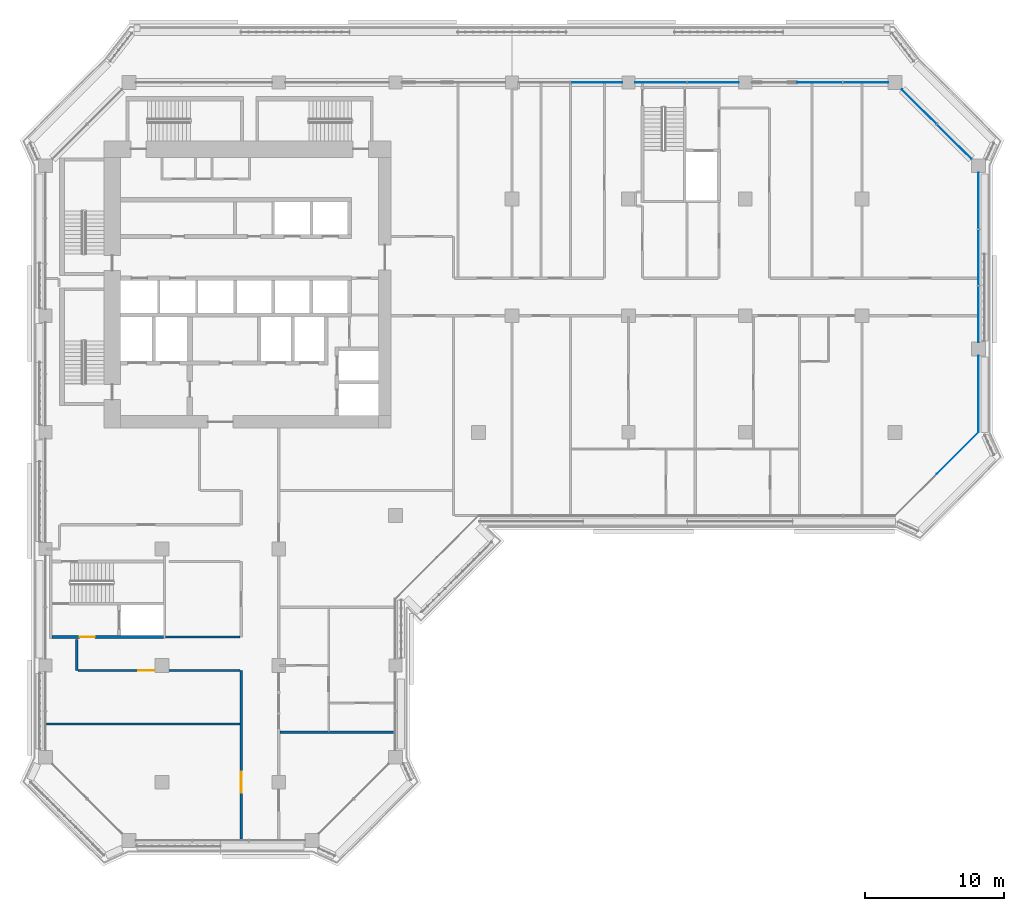
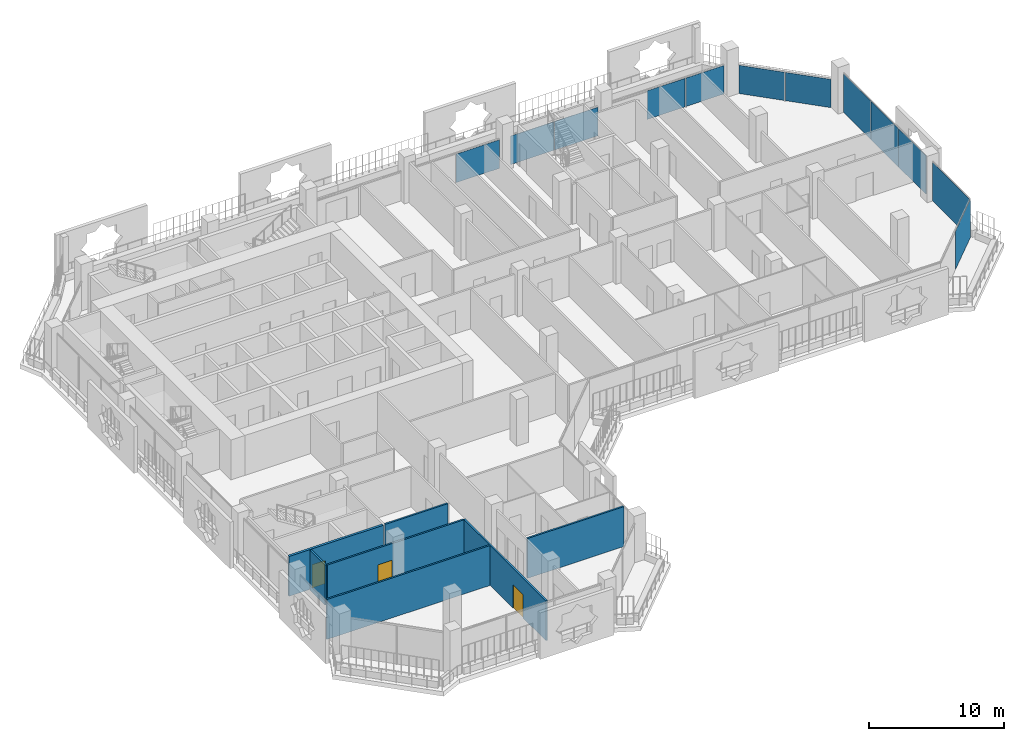
# One storey, part 9 of 22: 12 plates, 7 walls, 3 doors, 3 openings, 4 elements without a shape of their own.
"""IFC4 building model written with IfcOpenShell, lengths in metres."""

from ifc_helpers import new_model, si_unit, direction, frame, frame_2d, origin, origin_2d, place, context, subcontext, project, spatial, rectangle, extrude, material, layer, layer_set, type_object, element, fill, aggregate, save


model = new_model("IFC4")

# Units and contexts
model_context = context("Model", 3, precision=1e-05, world=origin(), true_north=direction((0.0, 1.0)))
body_context = subcontext(model_context, "Body", "Model", "MODEL_VIEW")
ifc_project = project(units=[si_unit("LENGTHUNIT", "METRE"), si_unit("AREAUNIT", "SQUARE_METRE"), si_unit("VOLUMEUNIT", "CUBIC_METRE"), si_unit("PLANEANGLEUNIT", "RADIAN"), si_unit("MASSUNIT", "GRAM", prefix="KILO")], contexts=[model_context])

# Site, building, storey
site_placement = place(None, origin())
site = spatial("IfcSite", under=ifc_project, at=site_placement, CompositionType="ELEMENT")
building_placement = place(site_placement, origin())
building = spatial("IfcBuilding", under=site, at=building_placement, Name="Kawkab Arch Medical Tower", CompositionType="ELEMENT")
storey_placement = place(building_placement, frame((0.0, 0.0, 204.60009765625)))
storey = spatial("IfcBuildingStorey", under=building, at=storey_placement, Name="L47", CompositionType="ELEMENT", Elevation=204.60009765625)

# Curtain wall, plates
ifc_material_1 = material(Name="Bronze anodised aluminium curtain wall frame", Category="aluminium")
ifc_layer_1 = layer(ifc_material_1, 0.159912109375)
ifc_layer_set_1 = layer_set([ifc_layer_1], Name="Bronze anodised aluminium curtain wall frame")
curtain_wall_type_1 = type_object("IfcCurtainWallType", Name="CW1 ward curtain wall", PredefinedType="NOTDEFINED", material=ifc_layer_set_1)
placement = place(storey_placement, origin())
curtain_wall_1 = element("IfcCurtainWall", 1, at=placement, inside=storey, type_object=curtain_wall_type_1, Name="CW1 Ward curtain wall R09", PredefinedType="NOTDEFINED")
ifc_material_2 = material(Name="Tinted insulating glass, bronze low-e coating", Category="glass")
ifc_layer_2 = layer(ifc_material_2, 0.031982421875)
ifc_layer_set_2 = layer_set([ifc_layer_2], Name="Tinted insulating glass, bronze low-e coating")
plate_type_1 = type_object("IfcPlateType", Name="CW1 glazing unit 32", PredefinedType="CURTAIN_PANEL", material=ifc_layer_set_2)
plate_1_placement = place(storey_placement, frame((67.199951171875, -22.449951171875, 0.0), z_axis=(0.0, 0.0, 1.0), x_axis=(0.0, 1.0, 0.0)))
plate_1 = element("IfcPlate", 2, at=plate_1_placement, type_object=plate_type_1, Name="CW1 glazing unit 1.1", PredefinedType="CURTAIN_PANEL", context=body_context, shape_type="SweptSolid", body=[
    extrude(rectangle(XDim=5.5, YDim=0.031982421875, at=origin_2d()), origin(), (0.0, 0.0, 1.0), 3.47998046875),
])
plate_2_placement = place(storey_placement, frame((67.199951171875, -16.681640625, 0.0), z_axis=(0.0, 0.0, 1.0), x_axis=(0.0, 1.0, 0.0)))
plate_2 = element("IfcPlate", 3, at=plate_2_placement, type_object=plate_type_1, Name="CW1 glazing unit 2.1", PredefinedType="CURTAIN_PANEL", context=body_context, shape_type="SweptSolid", body=[
    extrude(rectangle(XDim=4.03662109375, YDim=0.031982421875, at=origin_2d()), origin(), (0.0, 0.0, 1.0), 3.47998046875),
])
plate_3_placement = place(storey_placement, frame((67.199951171875, -12.60009765625, 0.0), z_axis=(0.0, 0.0, 1.0), x_axis=(0.0, 1.0, 0.0)))
plate_3 = element("IfcPlate", 4, at=plate_3_placement, type_object=plate_type_1, Name="CW1 glazing unit 2.2", PredefinedType="CURTAIN_PANEL", context=body_context, shape_type="SweptSolid", body=[
    extrude(rectangle(XDim=4.006591796875, YDim=0.031982421875, at=origin_2d()), origin(), (0.0, 0.0, 1.0), 3.47998046875),
])
plate_4_placement = place(storey_placement, frame((67.199951171875, -8.518310546875, 0.0), z_axis=(0.0, 0.0, 1.0), x_axis=(0.0, 1.0, 0.0)))
plate_4 = element("IfcPlate", 5, at=plate_4_placement, type_object=plate_type_1, Name="CW1 glazing unit 2.3", PredefinedType="CURTAIN_PANEL", context=body_context, shape_type="SweptSolid", body=[
    extrude(rectangle(XDim=4.03662109375, YDim=0.031982421875, at=origin_2d()), origin(), (0.0, 0.0, 1.0), 3.47998046875),
])
aggregate(curtain_wall_1, [plate_1, plate_2, plate_3, plate_4])

curtain_wall_2 = element("IfcCurtainWall", 6, at=placement, inside=storey, type_object=curtain_wall_type_1, Name="CW1 Ward curtain wall R11", PredefinedType="NOTDEFINED")
plate_5_placement = place(storey_placement, frame((59.077392578125, 0.0, -0.000244140625), z_axis=(0.0, 0.0, 1.0), x_axis=(-1.0, 0.0, 0.0)))
plate_5 = element("IfcPlate", 7, at=plate_5_placement, type_object=plate_type_1, Name="CW1 glazing unit 1.1", PredefinedType="CURTAIN_PANEL", context=body_context, shape_type="SweptSolid", body=[
    extrude(rectangle(XDim=3.2451171875, YDim=0.031982421875, at=origin_2d()), origin(), (0.0, 0.0, 1.0), 2.580078125),
])
plate_6_placement = place(storey_placement, frame((55.7724609375, 0.0, -0.000244140625), z_axis=(0.0, 0.0, 1.0), x_axis=(-1.0, 0.0, 0.0)))
plate_6 = element("IfcPlate", 8, at=plate_6_placement, type_object=plate_type_1, Name="CW1 glazing unit 1.2", PredefinedType="CURTAIN_PANEL", context=body_context, shape_type="SweptSolid", body=[
    extrude(rectangle(XDim=3.2451171875, YDim=0.031982421875, at=origin_2d()), origin(), (0.0, 0.0, 1.0), 2.580078125),
])
plate_7_placement = place(storey_placement, frame((48.077392578125, 0.0, -0.000244140625), z_axis=(0.0, 0.0, 1.0), x_axis=(-1.0, 0.0, 0.0)))
plate_7 = element("IfcPlate", 9, at=plate_7_placement, type_object=plate_type_1, Name="CW1 glazing unit 2.1", PredefinedType="CURTAIN_PANEL", context=body_context, shape_type="SweptSolid", body=[
    extrude(rectangle(XDim=3.695068359375, YDim=0.031982421875, at=origin_2d()), origin(), (0.0, 0.0, 1.0), 2.580078125),
])
plate_8_placement = place(storey_placement, frame((44.322509765625, 0.0, -0.000244140625), z_axis=(0.0, 0.0, 1.0), x_axis=(-1.0, 0.0, 0.0)))
plate_8 = element("IfcPlate", 10, at=plate_8_placement, type_object=plate_type_1, Name="CW1 glazing unit 2.2", PredefinedType="CURTAIN_PANEL", context=body_context, shape_type="SweptSolid", body=[
    extrude(rectangle(XDim=3.695068359375, YDim=0.031982421875, at=origin_2d()), origin(), (0.0, 0.0, 1.0), 2.580078125),
])
plate_9_placement = place(storey_placement, frame((39.677490234375, 0.0, -0.000244140625), z_axis=(0.0, 0.0, 1.0), x_axis=(-1.0, 0.0, 0.0)))
plate_9 = element("IfcPlate", 11, at=plate_9_placement, type_object=plate_type_1, Name="CW1 glazing unit 3.1", PredefinedType="CURTAIN_PANEL", context=body_context, shape_type="SweptSolid", body=[
    extrude(rectangle(XDim=3.695068359375, YDim=0.031982421875, at=origin_2d()), origin(), (0.0, 0.0, 1.0), 2.580078125),
])
aggregate(curtain_wall_2, [plate_5, plate_6, plate_7, plate_8, plate_9])

# Curtain wall, plate
ifc_material_3 = material(Name="Bronze anodised aluminium curtain wall frame", Category="aluminium")
ifc_layer_3 = layer(ifc_material_3, 0.159912109375)
ifc_layer_set_3 = layer_set([ifc_layer_3], Name="Bronze anodised aluminium curtain wall frame")
curtain_wall_type_2 = type_object("IfcCurtainWallType", Name="CW2 chamfer curtain wall", PredefinedType="NOTDEFINED", material=ifc_layer_set_3)
curtain_wall_3 = element("IfcCurtainWall", 12, at=placement, inside=storey, type_object=curtain_wall_type_2, Name="CW2 Chamfer curtain wall R08", PredefinedType="NOTDEFINED")
ifc_material_4 = material(Name="Tinted insulating glass, bronze low-e coating", Category="glass")
ifc_layer_4 = layer(ifc_material_4, 0.031982421875)
ifc_layer_set_4 = layer_set([ifc_layer_4], Name="Tinted insulating glass, bronze low-e coating")
plate_type_2 = type_object("IfcPlateType", Name="CW2 glazing unit 32", PredefinedType="CURTAIN_PANEL", material=ifc_layer_set_4)
plate_10_placement = place(storey_placement, frame((65.699951171875, -26.699951171875, 0.0), z_axis=(0.0, 0.0, 1.0), x_axis=(0.707106781187, 0.707106781187, 0.0)))
plate_10 = element("IfcPlate", 13, at=plate_10_placement, type_object=plate_type_2, Name="CW2 glazing unit 2.1", PredefinedType="CURTAIN_PANEL", context=body_context, shape_type="SweptSolid", body=[
    extrude(rectangle(XDim=4.24267578125, YDim=0.031982421875, at=origin_2d()), origin(), (0.0, 0.0, 1.0), 3.4599609375),
])
aggregate(curtain_wall_3, [plate_10])

# Curtain wall, plates
curtain_wall_4 = element("IfcCurtainWall", 14, at=placement, inside=storey, type_object=curtain_wall_type_2, Name="CW2 Chamfer curtain wall R10", PredefinedType="NOTDEFINED")
plate_11_placement = place(storey_placement, frame((65.460693359375, -4.260498046875, -0.000244140625), z_axis=(0.0, 0.0, 1.0), x_axis=(-0.707106781187, 0.707106781187, 0.0)))
plate_11 = element("IfcPlate", 15, at=plate_11_placement, type_object=plate_type_2, Name="CW2 glazing unit 1.1", PredefinedType="CURTAIN_PANEL", context=body_context, shape_type="SweptSolid", body=[
    extrude(rectangle(XDim=3.505615234375, YDim=0.031982421875, at=origin_2d()), origin(), (0.0, 0.0, 1.0), 2.56005859375),
])
plate_12_placement = place(storey_placement, frame((62.939453125, -1.739501953125, -0.000244140625), z_axis=(0.0, 0.0, 1.0), x_axis=(-0.707106781187, 0.707106781187, 0.0)))
plate_12 = element("IfcPlate", 16, at=plate_12_placement, type_object=plate_type_2, Name="CW2 glazing unit 1.2", PredefinedType="CURTAIN_PANEL", context=body_context, shape_type="SweptSolid", body=[
    extrude(rectangle(XDim=3.505615234375, YDim=0.031982421875, at=origin_2d()), origin(), (0.0, 0.0, 1.0), 2.56005859375),
])
aggregate(curtain_wall_4, [plate_11, plate_12])

# Walls
ifc_material_5 = material(Name="Gypsum board partition on steel studs, mineral wool", Category="steel")
ifc_layer_5 = layer(ifc_material_5, 0.14990234375)
ifc_layer_set_5 = layer_set([ifc_layer_5], Name="Gypsum board partition on steel studs, mineral wool")
wall_type_1 = type_object("IfcWallType", Name="Partition 150", PredefinedType="PARTITIONING", material=ifc_layer_set_5)
wall_1_placement = place(storey_placement, frame((16.875, -46.800048828125, 0.0), z_axis=(0.0, 0.0, 1.0), x_axis=(1.0, 0.0, 0.0)))
element("IfcWall", 17, at=wall_1_placement, inside=storey, type_object=wall_type_1, Name="Partition 150 w011", PredefinedType="PARTITIONING", context=body_context, shape_type="SweptSolid", body=[
    extrude(rectangle(XDim=8.2451171875, YDim=0.14990234375, at=frame_2d((4.12255859375, 0.0))), origin(), (0.0, 0.0, 1.0), 3.599853515625),
])
wall_2_placement = place(storey_placement, frame((0.080078125, -46.199951171875, 0.0), z_axis=(0.0, 0.0, 1.0), x_axis=(1.0, 0.0, 0.0)))
element("IfcWall", 18, at=wall_2_placement, inside=storey, type_object=wall_type_1, Name="Partition 150 w012", PredefinedType="PARTITIONING", context=body_context, shape_type="SweptSolid", body=[
    extrude(rectangle(XDim=13.94482421875, YDim=0.14990234375, at=frame_2d((6.972412109375, 0.0))), origin(), (0.0, 0.0, 1.0), 3.599853515625),
])

# Wall, opening, door
wall_3_placement = place(storey_placement, frame((2.325927734375, -42.35009765625, 0.0), z_axis=(0.0, 0.0, 1.0), x_axis=(1.0, 0.0, 0.0)))
wall_3 = element("IfcWall", 19, at=wall_3_placement, inside=storey, type_object=wall_type_1, Name="Partition 150 w013", PredefinedType="PARTITIONING", context=body_context, shape_type="SweptSolid", body=[
    extrude(rectangle(XDim=11.698974609375, YDim=0.14990234375, at=frame_2d((5.849609375, 0.0))), origin(), (0.0, 0.0, 1.0), 3.599853515625),
])
opening_1_placement = place(wall_3_placement, frame((4.34912109375, 0.0, 0.0)))
opening_1 = element("IfcOpeningElement", 20, at=opening_1_placement, cuts=wall_3, Name="Opening W42-035", PredefinedType="OPENING", context=body_context, shape_type="SweptSolid", body=[
    extrude(rectangle(XDim=1.199951171875, YDim=2.10009765625, at=frame_2d((0.60009765625, 1.050048828125))), frame((0.0, 0.0849609375, 0.0), z_axis=(0.0, -1.0, 0.0), x_axis=(1.0, 0.0, 0.0)), (0.0, 0.0, 1.0), 0.169921875),
])
ifc_material_6 = material(Name="Hollow metal door leaf")
door_type_1 = type_object("IfcDoorType", Name="Single door 1200x2100 FD30S", OperationType="NOTDEFINED", PredefinedType="DOOR", material=ifc_material_6)
door_1_placement = place(opening_1_placement, origin())
door_1 = element("IfcDoor", 21, at=door_1_placement, inside=storey, type_object=door_type_1, Name="Door W42-035", OperationType="SINGLE_SWING_RIGHT", OverallHeight=2.10009765625, OverallWidth=1.199951171875, PredefinedType="DOOR", context=body_context, shape_type="SweptSolid", body=[
    extrude(rectangle(XDim=1.199951171875, YDim=2.10009765625, at=frame_2d((0.60009765625, 1.050048828125))), frame((0.0, 0.02490234375, 0.0), z_axis=(0.0, -1.0, 0.0), x_axis=(1.0, 0.0, 0.0)), (0.0, 0.0, 1.0), 0.050048828125),
])
fill(opening_1, door_1)

# Walls
wall_4_placement = place(storey_placement, frame((8.64990234375, -39.949951171875, 0.0), z_axis=(0.0, 0.0, 1.0), x_axis=(1.0, 0.0, 0.0)))
element("IfcWall", 22, at=wall_4_placement, inside=storey, type_object=wall_type_1, Name="Partition 150 w014", PredefinedType="PARTITIONING", context=body_context, shape_type="SweptSolid", body=[
    extrude(rectangle(XDim=5.375, YDim=0.14990234375, at=frame_2d((2.6875, 0.0))), origin(), (0.0, 0.0, 1.0), 3.599853515625),
])
wall_5_placement = place(storey_placement, frame((2.25, -42.347900390625, 0.0), z_axis=(0.0, 0.0, 1.0), x_axis=(0.0, 1.0, 0.0)))
element("IfcWall", 23, at=wall_5_placement, inside=storey, type_object=wall_type_1, Name="Partition 150 w034", PredefinedType="PARTITIONING", context=body_context, shape_type="SweptSolid", body=[
    extrude(rectangle(XDim=2.218017578125, YDim=0.14990234375, at=frame_2d((1.10888671875, 0.0))), origin(), (0.0, 0.0, 1.0), 3.599853515625),
])

# Wall, opening, door
wall_6_placement = place(storey_placement, frame((14.10009765625, -54.52001953125, 0.0), z_axis=(0.0, 0.0, 1.0), x_axis=(0.0, 1.0, 0.0)))
wall_6 = element("IfcWall", 24, at=wall_6_placement, inside=storey, type_object=wall_type_1, Name="Partition 150 w036", PredefinedType="PARTITIONING", context=body_context, shape_type="SweptSolid", body=[
    extrude(rectangle(XDim=12.169921875, YDim=0.14990234375, at=frame_2d((6.0849609375, 0.0))), origin(), (0.0, 0.0, 1.0), 3.599853515625),
])
opening_2_placement = place(wall_6_placement, frame((3.3701171875, 0.0, 0.0)))
opening_2 = element("IfcOpeningElement", 25, at=opening_2_placement, cuts=wall_6, Name="Opening W42-004", PredefinedType="OPENING", context=body_context, shape_type="SweptSolid", body=[
    extrude(rectangle(XDim=1.5, YDim=2.10009765625, at=frame_2d((0.75, 1.050048828125))), frame((0.0, 0.0849609375, 0.0), z_axis=(0.0, -1.0, 0.0), x_axis=(1.0, 0.0, 0.0)), (0.0, 0.0, 1.0), 0.169921875),
])
ifc_material_7 = material(Name="Hollow metal door leaf")
door_type_2 = type_object("IfcDoorType", Name="Double door 1500x2100 FD30S", OperationType="NOTDEFINED", PredefinedType="DOOR", material=ifc_material_7)
door_2_placement = place(opening_2_placement, origin())
door_2 = element("IfcDoor", 26, at=door_2_placement, inside=storey, type_object=door_type_2, Name="Door W42-004", OperationType="DOUBLE_DOOR_SINGLE_SWING", OverallHeight=2.10009765625, OverallWidth=1.5, PredefinedType="DOOR", context=body_context, shape_type="SweptSolid", body=[
    extrude(rectangle(XDim=1.5, YDim=2.10009765625, at=frame_2d((0.75, 1.050048828125))), frame((0.0, 0.02490234375, 0.0), z_axis=(0.0, -1.0, 0.0), x_axis=(1.0, 0.0, 0.0)), (0.0, 0.0, 1.0), 0.050048828125),
])
fill(opening_2, door_2)

ifc_material_8 = material(Name="Concrete C50/60", Category="concrete")
ifc_layer_6 = layer(ifc_material_8, 0.199951171875)
ifc_layer_set_6 = layer_set([ifc_layer_6], Name="Concrete C50/60")
wall_type_2 = type_object("IfcWallType", Name="Stair enclosure wall 200 C50/60", PredefinedType="SHEAR", material=ifc_layer_set_6)
wall_7_placement = place(storey_placement, frame((0.449951171875, -39.949951171875, 0.0), z_axis=(0.0, 0.0, 1.0), x_axis=(1.0, 0.0, 0.0)))
wall_7 = element("IfcWall", 27, at=wall_7_placement, inside=storey, type_object=wall_type_2, Name="L47 stair enclosure wall", PredefinedType="SHEAR", context=body_context, shape_type="SweptSolid", body=[
    extrude(rectangle(XDim=8.050048828125, YDim=0.199951171875, at=frame_2d((4.02490234375, 0.0))), origin(), (0.0, 0.0, 1.0), 3.599853515625),
])
opening_3_placement = place(wall_7_placement, frame((2.0, 0.0, 0.0)))
opening_3 = element("IfcOpeningElement", 28, at=opening_3_placement, cuts=wall_7, Name="Opening FD", PredefinedType="OPENING", context=body_context, shape_type="SweptSolid", body=[
    extrude(rectangle(XDim=1.10009765625, YDim=2.10009765625, at=frame_2d((0.550048828125, 1.050048828125))), frame((0.0, 0.10986328125, 0.0), z_axis=(0.0, -1.0, 0.0), x_axis=(1.0, 0.0, 0.0)), (0.0, 0.0, 1.0), 0.219970703125),
])
ifc_material_9 = material(Name="Hollow metal fire door leaf")
door_type_3 = type_object("IfcDoorType", Name="Firefighting lobby door 1100", OperationType="SINGLE_SWING_LEFT", PredefinedType="DOOR", material=ifc_material_9)
door_3_placement = place(opening_3_placement, origin())
door_3 = element("IfcDoor", 29, at=door_3_placement, inside=storey, type_object=door_type_3, Name="L47 Service lift lobby door SV2", OperationType="SINGLE_SWING_LEFT", OverallHeight=2.10009765625, OverallWidth=1.10009765625, PredefinedType="DOOR", context=body_context, shape_type="SweptSolid", body=[
    extrude(rectangle(XDim=1.10009765625, YDim=2.10009765625, at=frame_2d((0.550048828125, 1.050048828125))), frame((0.0, 0.02490234375, 0.0), z_axis=(0.0, -1.0, 0.0), x_axis=(1.0, 0.0, 0.0)), (0.0, 0.0, 1.0), 0.050048828125),
])
fill(opening_3, door_3)

save(model, "model.ifc")
